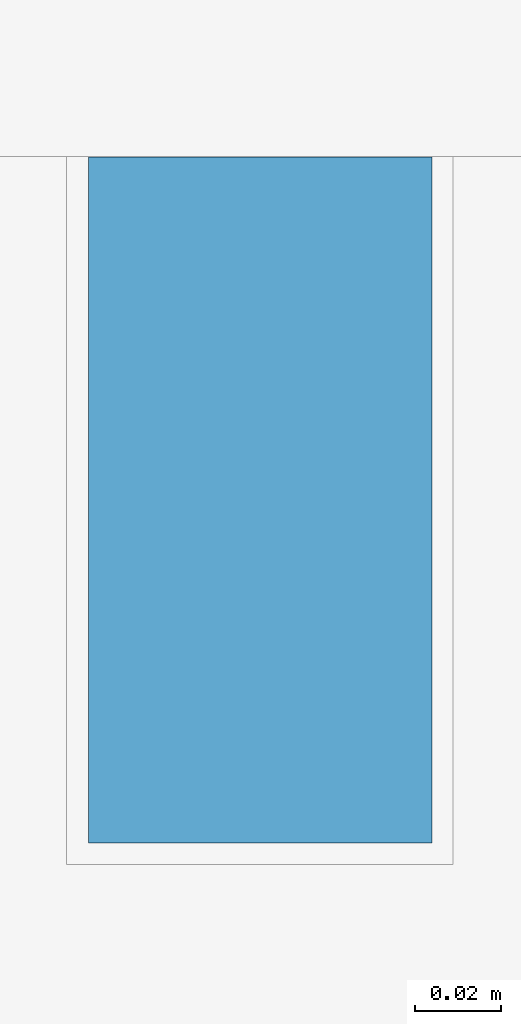
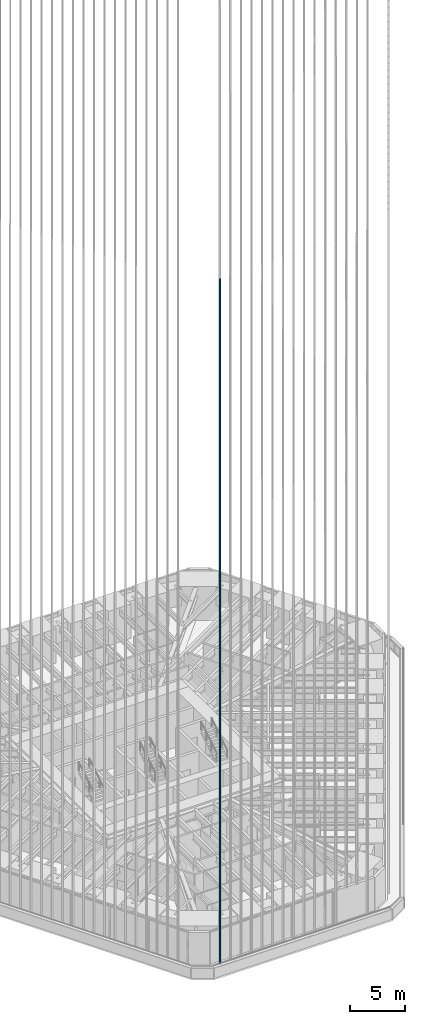
# One storey, part 11 of 238: 1 member, 1 element without a shape of its own.
"""IFC4 building model written with IfcOpenShell, lengths in metres."""

from ifc_helpers import new_model, si_unit, direction, frame, origin, origin_2d, place, context, subcontext, project, spatial, rectangle, extrude, material, material_profile, profile_set, type_object, element, aggregate, save


model = new_model("IFC4")

# Units and contexts
model_context = context("Model", 3, precision=1e-05, world=origin(), true_north=direction((0.0, 1.0)))
body_context = subcontext(model_context, "Body", "Model", "MODEL_VIEW")
ifc_project = project(units=[si_unit("LENGTHUNIT", "METRE"), si_unit("AREAUNIT", "SQUARE_METRE"), si_unit("VOLUMEUNIT", "CUBIC_METRE"), si_unit("PLANEANGLEUNIT", "RADIAN"), si_unit("MASSUNIT", "GRAM", prefix="KILO")], contexts=[model_context])

# Site, building, storey
site_placement = place(None, origin())
site = spatial("IfcSite", under=ifc_project, at=site_placement, CompositionType="ELEMENT")
building_placement = place(site_placement, origin())
building = spatial("IfcBuilding", under=site, at=building_placement, Name="Sandreach Pilgrim Tower", CompositionType="ELEMENT")
storey_placement = place(building_placement, frame((0.0, 0.0, 96.800048828125)))
storey = spatial("IfcBuildingStorey", under=building, at=storey_placement, Name="L23", CompositionType="ELEMENT", Elevation=96.800048828125)

# Curtain wall, member
ifc_material_1 = material(Name="Aluminium framed curtain wall", Category="aluminium")
curtain_wall_type = type_object("IfcCurtainWallType", Name="Hotel tower curtain wall", PredefinedType="NOTDEFINED", material=ifc_material_1)
curtain_wall_placement = place(storey_placement, origin())
curtain_wall = element("IfcCurtainWall", 1, at=curtain_wall_placement, inside=storey, type_object=curtain_wall_type, Name="CW-2 L23 SA", PredefinedType="NOTDEFINED")
ifc_material_2 = material(Name="Extruded terracotta on aluminium core", Category="masonry")
ifc_material_profile = material_profile(ifc_material_2, rectangle(XDim=0.080078125, YDim=0.159912109375, at=origin_2d()), Name="TBS 80X160")
ifc_profile_set = profile_set([ifc_material_profile], Name="Extruded terracotta on aluminium core")
member_type = type_object("IfcMemberType", Name="Terracotta baguette south", PredefinedType="USERDEFINED", material=ifc_profile_set)
member_placement = place(storey_placement, frame((-7.726806640625, -28.572265625, 0.0), z_axis=(0.0, 0.0, 1.0), x_axis=(-1.0, 0.0, 0.0)))
member = element("IfcMember", 2, at=member_placement, type_object=member_type, Name="Baguette Z2 S15", ObjectType="BAGUETTE", PredefinedType="USERDEFINED", context=body_context, shape_type="SweptSolid", body=[
    extrude(rectangle(XDim=0.080078125, YDim=0.159912109375, at=origin_2d()), origin(), (0.0, 0.0, 1.0), 75.83984375),
])
aggregate(curtain_wall, [member])

save(model, "model.ifc")
